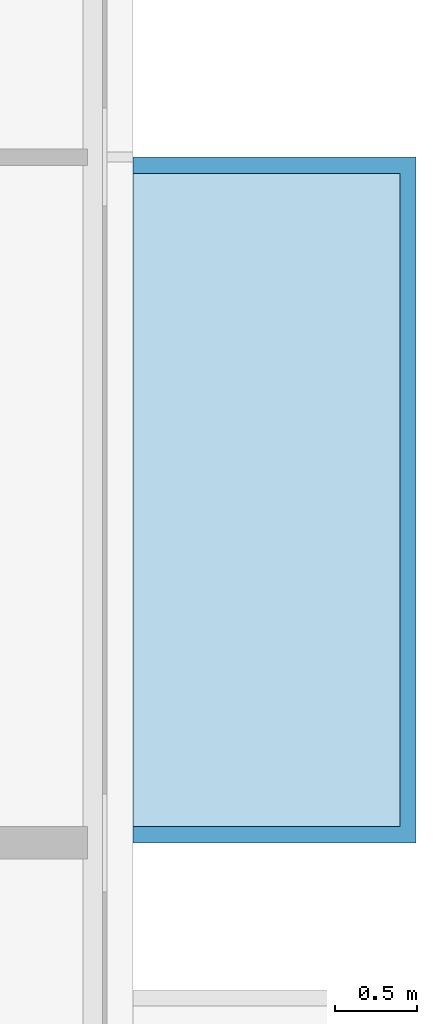
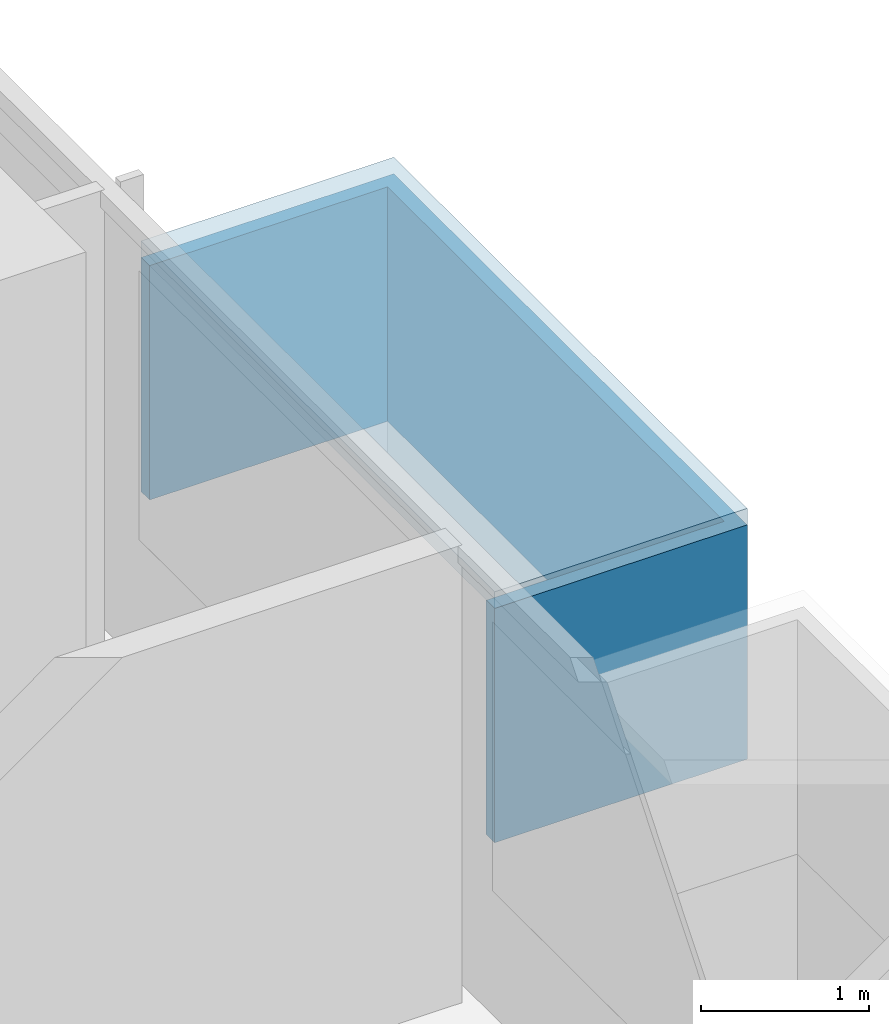
# One storey, part 17 of 28: 2 plates.
"""IFC4 building model written with IfcOpenShell, lengths in metres."""

from ifc_helpers import new_model, si_unit, direction, frame, origin, place, context, subcontext, project, spatial, polyline, outline, extrude, material, layer, layer_set, type_object, element, save


model = new_model("IFC4")

# Units and contexts
model_context = context("Model", 3, precision=1e-05, world=origin(), true_north=direction((0.0, 1.0)))
body_context = subcontext(model_context, "Body", "Model", "MODEL_VIEW")
ifc_project = project(units=[si_unit("LENGTHUNIT", "METRE"), si_unit("AREAUNIT", "SQUARE_METRE"), si_unit("VOLUMEUNIT", "CUBIC_METRE"), si_unit("PLANEANGLEUNIT", "RADIAN"), si_unit("MASSUNIT", "GRAM", prefix="KILO")], contexts=[model_context])

# Site, building, storey
site_placement = place(None, origin())
site = spatial("IfcSite", under=ifc_project, at=site_placement, CompositionType="ELEMENT")
building_placement = place(site_placement, origin())
building = spatial("IfcBuilding", under=site, at=building_placement, Name="Saffron Gate Tower", CompositionType="ELEMENT")
storey_placement = place(building_placement, frame((0.0, 0.0, 151.050048828125)))
storey = spatial("IfcBuildingStorey", under=building, at=storey_placement, Name="L36", CompositionType="ELEMENT", Elevation=151.050048828125)

# Plates
ifc_material_1 = material(Name="Aluminium, bronze anodised", Category="aluminium")
ifc_layer_1 = layer(ifc_material_1, 0.1201171875)
ifc_layer_set_1 = layer_set([ifc_layer_1], Name="WB2 box roof")
plate_type_1 = type_object("IfcPlateType", Name="WB2 box roof", PredefinedType="SHEET", material=ifc_layer_set_1)
plate_1_placement = place(storey_placement, frame((0.0, 0.0, 2.699951171875)))
element("IfcPlate", 1, at=plate_1_placement, inside=storey, type_object=plate_type_1, Name="WINDOW BOX roof", PredefinedType="SHEET", context=body_context, shape_type="SweptSolid", body=[
    extrude(outline(polyline([(127.199951171875, 61.199951171875), (127.199951171875, 65.39990234375), (128.93310546875, 65.39990234375), (128.93310546875, 61.199951171875), (127.199951171875, 61.199951171875)])), origin(), (0.0, 0.0, 1.0), 0.1201171875),
])
ifc_material_2 = material(Name="Clear low-iron laminated glass", Category="glass")
ifc_layer_2 = layer(ifc_material_2, 0.10009765625)
ifc_layer_set_2 = layer_set([ifc_layer_2], Name="WB6 box glazing")
plate_type_2 = type_object("IfcPlateType", Name="WB6 box glazing", PredefinedType="SHEET", material=ifc_layer_set_2)
plate_2_placement = place(storey_placement, frame((0.0, 0.0, 1.0)))
element("IfcPlate", 2, at=plate_2_placement, inside=storey, type_object=plate_type_2, Name="WINDOW BOX glazing", PredefinedType="SHEET", context=body_context, shape_type="SweptSolid", body=[
    extrude(outline(polyline([(127.199951171875, 61.199951171875), (127.199951171875, 61.300048828125), (128.8330078125, 61.300048828125), (128.8330078125, 65.300048828125), (127.199951171875, 65.300048828125), (127.199951171875, 65.39990234375), (128.93310546875, 65.39990234375), (128.93310546875, 61.199951171875), (127.199951171875, 61.199951171875)])), origin(), (0.0, 0.0, 1.0), 1.699951171875),
])

save(model, "model.ifc")
